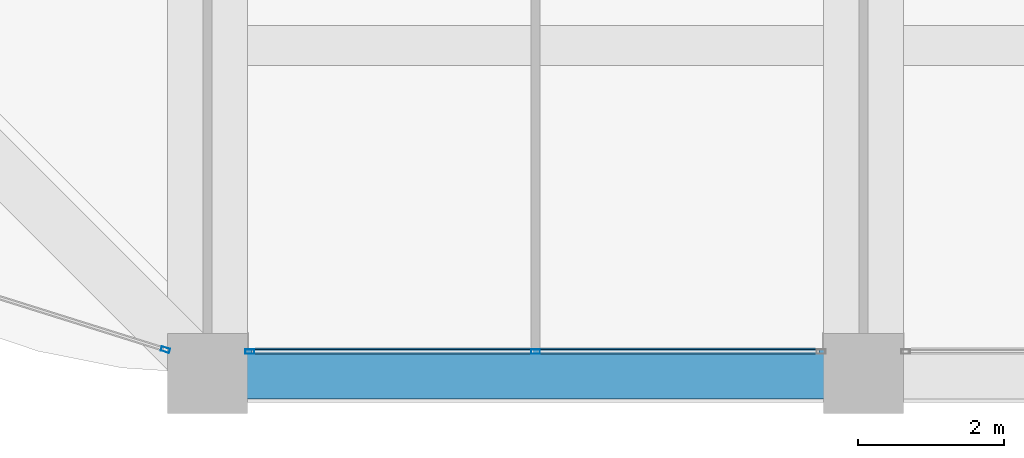
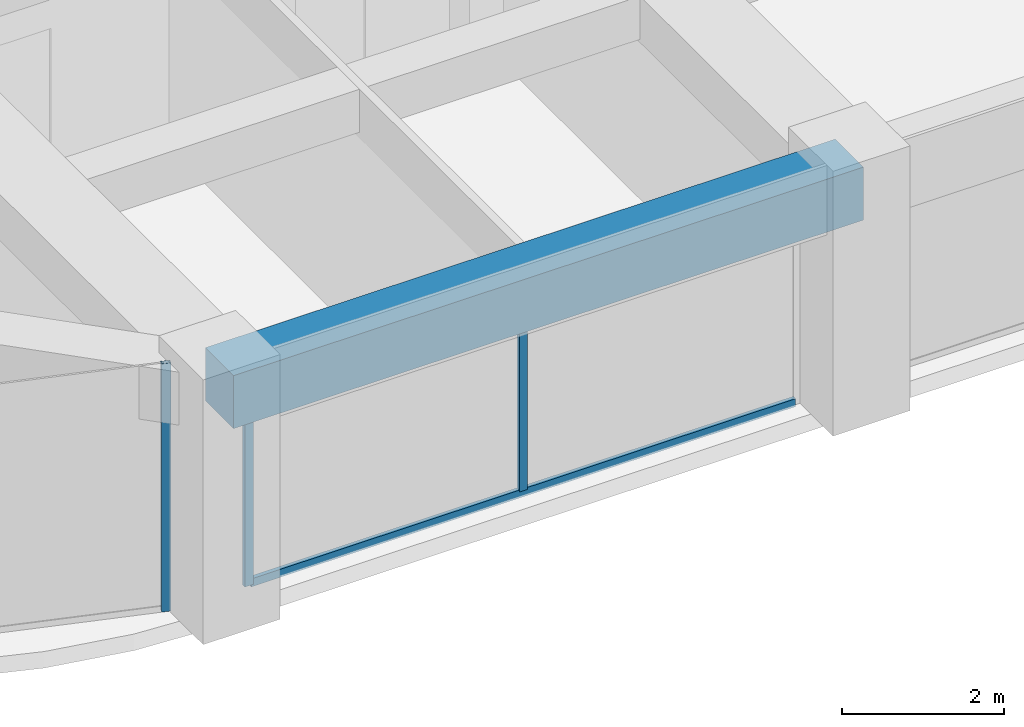
# One storey, part 4 of 45: 4 members, 1 beam, 2 elements without a shape of their own.
"""IFC4 building model written with IfcOpenShell, lengths in metres."""

from ifc_helpers import new_model, si_unit, direction, frame, origin, origin_2d, place, context, subcontext, project, spatial, rectangle, hollow_rectangle, extrude, material, material_profile, profile_set, type_object, element, aggregate, save


model = new_model("IFC4")

# Units and contexts
model_context = context("Model", 3, precision=1e-05, world=origin(), true_north=direction((0.0, 1.0)))
body_context = subcontext(model_context, "Body", "Model", "MODEL_VIEW")
ifc_project = project(units=[si_unit("LENGTHUNIT", "METRE"), si_unit("AREAUNIT", "SQUARE_METRE"), si_unit("VOLUMEUNIT", "CUBIC_METRE"), si_unit("PLANEANGLEUNIT", "RADIAN"), si_unit("MASSUNIT", "GRAM", prefix="KILO")], contexts=[model_context])

# Site, building, storey
site_placement = place(None, origin())
site = spatial("IfcSite", under=ifc_project, at=site_placement, CompositionType="ELEMENT")
building_placement = place(site_placement, origin())
building = spatial("IfcBuilding", under=site, at=building_placement, Name="Zorevar Civic Tower", CompositionType="ELEMENT")
storey_placement = place(building_placement, frame((0.0, 0.0, 303.39990234375)))
storey = spatial("IfcBuildingStorey", under=building, at=storey_placement, Name="L74", CompositionType="ELEMENT", Elevation=303.39990234375)

# Curtain wall, members
ifc_material_1 = material(Name="Dark grey solar-control glass in black aluminium frame", Category="aluminium")
curtain_wall_type = type_object("IfcCurtainWallType", Name="Curtain wall CW5 top zone", PredefinedType="NOTDEFINED", material=ifc_material_1)
curtain_wall_1_placement = place(storey_placement, origin())
curtain_wall_1 = element("IfcCurtainWall", 1, at=curtain_wall_1_placement, inside=storey, type_object=curtain_wall_type, Name="CW5 L74", PredefinedType="NOTDEFINED")
ifc_material_2 = material(Name="Aluminium, black anodised", Category="aluminium")
ifc_material_profile_1 = material_profile(ifc_material_2, hollow_rectangle(XDim=0.06005859375, YDim=0.1201171875, WallThickness=0.0029296875, at=origin_2d()), Name="AL 120x60x3")
ifc_profile_set_1 = profile_set([ifc_material_profile_1], Name="Aluminium, black anodised")
member_type_1 = type_object("IfcMemberType", Name="CW5 mullion AL 120x60x3", PredefinedType="MULLION", material=ifc_profile_set_1)
member_1_placement = place(storey_placement, frame((18.580078125, 0.300048828125, 0.0), z_axis=(0.0, 0.0, 1.0), x_axis=(0.0, 1.0, 0.0)))
member_1 = element("IfcMember", 2, at=member_1_placement, type_object=member_type_1, Name="CW5 mullion 1", PredefinedType="MULLION", context=body_context, shape_type="SweptSolid", body=[
    extrude(hollow_rectangle(XDim=0.06005859375, YDim=0.1201171875, WallThickness=0.0029296875, at=origin_2d()), origin(), (0.0, 0.0, 1.0), 2.9501953125),
])
member_2_placement = place(storey_placement, frame((22.5, 0.300048828125, 0.06005859375), z_axis=(0.0, 0.0, 1.0), x_axis=(0.0, 1.0, 0.0)))
member_2 = element("IfcMember", 3, at=member_2_placement, type_object=member_type_1, Name="CW5 mullion 2", PredefinedType="MULLION", context=body_context, shape_type="SweptSolid", body=[
    extrude(hollow_rectangle(XDim=0.06005859375, YDim=0.1201171875, WallThickness=0.0029296875, at=origin_2d()), origin(), (0.0, 0.0, 1.0), 2.89013671875),
])

# Curtain wall, member
curtain_wall_2_placement = place(storey_placement, origin())
curtain_wall_2 = element("IfcCurtainWall", 4, at=curtain_wall_2_placement, inside=storey, type_object=curtain_wall_type, Name="CW5 L74", PredefinedType="NOTDEFINED")
member_3_placement = place(storey_placement, frame((17.42138671875, 0.326416015625, 0.0), z_axis=(0.0, 0.0, 1.0), x_axis=(0.299317920238, 0.954153437674, 0.0)))
member_3 = element("IfcMember", 5, at=member_3_placement, type_object=member_type_1, Name="CW5 mullion 2", PredefinedType="MULLION", context=body_context, shape_type="SweptSolid", body=[
    extrude(hollow_rectangle(XDim=0.06005859375, YDim=0.1201171875, WallThickness=0.0029296875, at=origin_2d()), origin(), (0.0, 0.0, 1.0), 3.75),
])
aggregate(curtain_wall_2, [member_3])

# Member
ifc_material_3 = material(Name="Aluminium, black anodised", Category="aluminium")
ifc_material_profile_2 = material_profile(ifc_material_3, hollow_rectangle(XDim=0.06005859375, YDim=0.1201171875, WallThickness=0.0029296875, at=origin_2d()), Name="AL 120x60x3")
ifc_profile_set_2 = profile_set([ifc_material_profile_2], Name="Aluminium, black anodised")
member_type_2 = type_object("IfcMemberType", Name="CW5 transom AL 120x60x3", PredefinedType="USERDEFINED", material=ifc_profile_set_2)
member_4_placement = place(storey_placement, frame((18.610107421875, 0.300048828125, 0.030029296875), z_axis=(1.0, 0.0, 0.0), x_axis=(0.0, 1.0, 0.0)))
member_4 = element("IfcMember", 6, at=member_4_placement, type_object=member_type_2, Name="CW5 sill transom", ObjectType="TRANSOM", PredefinedType="USERDEFINED", context=body_context, shape_type="SweptSolid", body=[
    extrude(hollow_rectangle(XDim=0.06005859375, YDim=0.1201171875, WallThickness=0.0029296875, at=origin_2d()), origin(), (0.0, 0.0, 1.0), 7.77978515625),
])

aggregate(curtain_wall_1, [member_1, member_2, member_4])

# Beam
ifc_material_4 = material(Name="Concrete C50/60", Category="concrete")
ifc_material_profile_3 = material_profile(ifc_material_4, rectangle(XDim=0.699951171875, YDim=0.800048828125, at=origin_2d()), Name="RC 700x800")
ifc_profile_set_3 = profile_set([ifc_material_profile_3], Name="Concrete C50/60")
beam_type = type_object("IfcBeamType", Name="Edge beam RC 700x800", PredefinedType="SPANDREL", material=ifc_profile_set_3)
beam_placement = place(storey_placement, frame((18.0, 0.0, 3.35009765625), z_axis=(1.0, 0.0, 0.0), x_axis=(0.0, 1.0, 0.0)))
element("IfcBeam", 7, at=beam_placement, inside=storey, type_object=beam_type, Name="Edge beam L75", PredefinedType="SPANDREL", context=body_context, shape_type="SweptSolid", body=[
    extrude(rectangle(XDim=0.699951171875, YDim=0.800048828125, at=origin_2d()), origin(), (0.0, 0.0, 1.0), 9.0),
])

save(model, "model.ifc")
